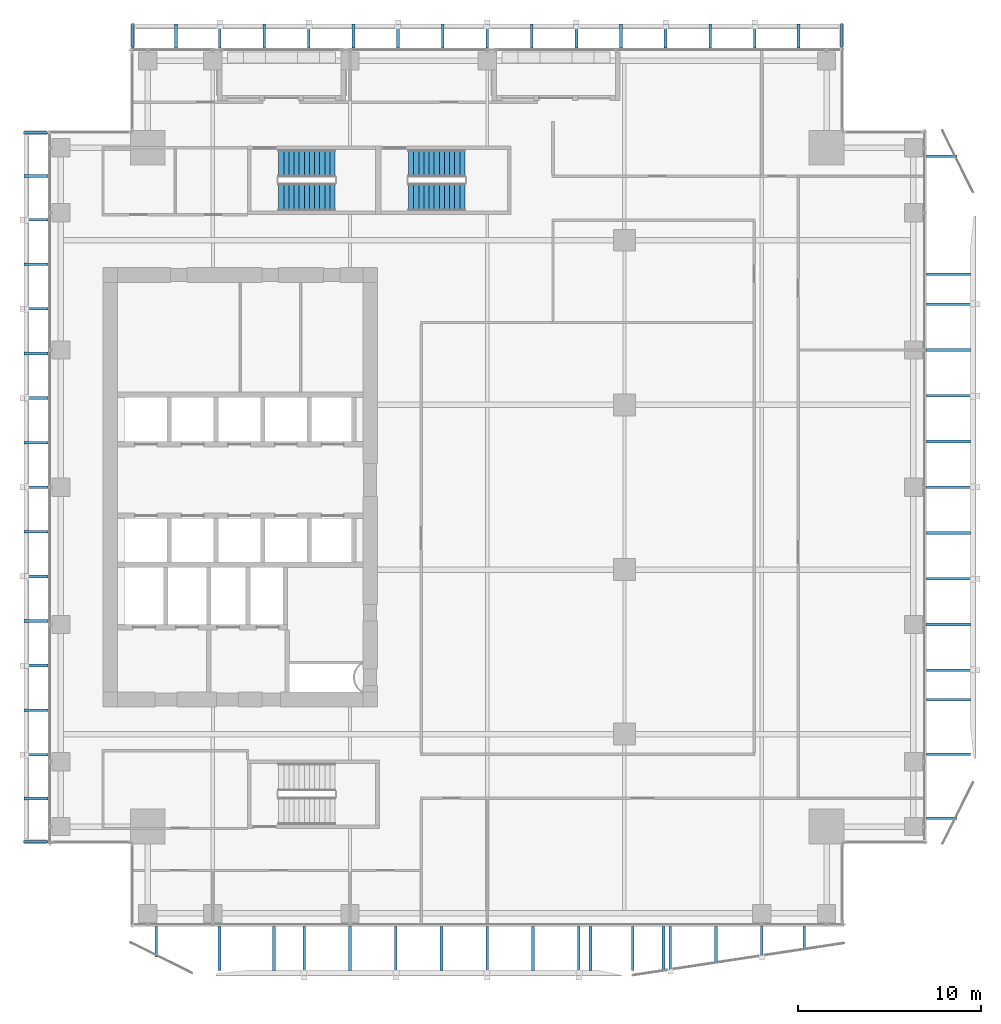
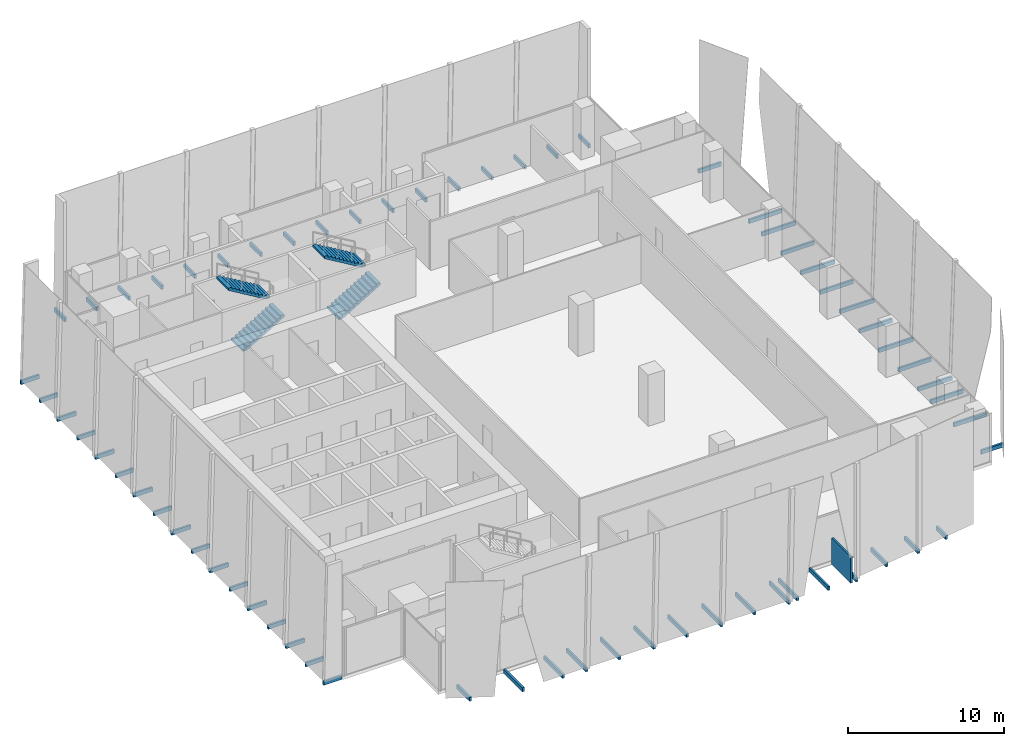
# One storey, part 31 of 35: 65 discrete accessories, 4 stair flights, 2 elements without a shape of their own.
"""IFC4 building model written with IfcOpenShell, lengths in metres."""

from ifc_helpers import new_model, si_unit, direction, frame, origin, origin_2d, place, context, subcontext, project, spatial, polyline, rectangle, outline, extrude, source, transform, mapped, material, type_object, element, aggregate, save


model = new_model("IFC4")

# Units and contexts
model_context = context("Model", 3, precision=1e-05, world=origin(), true_north=direction((0.0, 1.0)))
body_context = subcontext(model_context, "Body", "Model", "MODEL_VIEW")
ifc_project = project(units=[si_unit("LENGTHUNIT", "METRE"), si_unit("AREAUNIT", "SQUARE_METRE"), si_unit("VOLUMEUNIT", "CUBIC_METRE"), si_unit("PLANEANGLEUNIT", "RADIAN"), si_unit("MASSUNIT", "GRAM", prefix="KILO")], contexts=[model_context])

# Site, building, storey
site_placement = place(None, origin())
site = spatial("IfcSite", under=ifc_project, at=site_placement, CompositionType="ELEMENT")
building_placement = place(site_placement, origin())
building = spatial("IfcBuilding", under=site, at=building_placement, Name="Khomas Fold Tower", CompositionType="ELEMENT")
storey_placement = place(building_placement, frame((0.0, 0.0, 212.699951171875)))
storey = spatial("IfcBuildingStorey", under=building, at=storey_placement, Name="L47", CompositionType="ELEMENT", Elevation=212.699951171875)

# Stair, stair flights
ifc_material_1 = material(Name="Concrete C40/50", Category="concrete")
stair_type_1 = type_object("IfcStairType", Name="Stair ST1", PredefinedType="HALF_TURN_STAIR", material=ifc_material_1)
stair_1_placement = place(storey_placement, origin())
stair_1 = element("IfcStair", 1, at=stair_1_placement, inside=storey, type_object=stair_type_1, Name="L47 ST1", PredefinedType="HALF_TURN_STAIR")
ifc_material_2 = material(Name="Concrete C40/50", Category="concrete")
stair_flight_type_1 = type_object("IfcStairFlightType", Name="Stair flight 1500 ST1", PredefinedType="STRAIGHT", material=ifc_material_2)
shared_shape_1 = source(origin(), body_context, "Body", "SweptSolid", [
    extrude(outline(polyline([(0.0, 0.0), (0.0, 0.012939453125), (0.0, 0.025634765625), (0.0, 0.03857421875), (0.0, 0.05126953125), (0.0, 0.064208984375), (0.0, 0.076904296875), (0.0, 0.08984375), (0.0, 0.1025390625), (0.0, 0.115478515625), (0.0, 0.128173828125), (0.0, 0.14111328125), (0.0, 0.15380859375), (0.0, 0.166748046875), (0.280029296875, 0.166748046875), (0.280029296875, 0.333251953125), (0.56005859375, 0.333251953125), (0.56005859375, 0.5), (0.840087890625, 0.5), (0.840087890625, 0.666748046875), (1.1201171875, 0.666748046875), (1.1201171875, 0.833251953125), (1.39990234375, 0.833251953125), (1.39990234375, 1.0), (1.679931640625, 1.0), (1.679931640625, 1.166748046875), (1.9599609375, 1.166748046875), (1.9599609375, 1.333251953125), (2.239990234375, 1.333251953125), (2.239990234375, 1.5), (2.52001953125, 1.5), (2.52001953125, 1.666748046875), (2.800048828125, 1.666748046875), (2.800048828125, 1.833251953125), (3.080078125, 1.833251953125), (3.080078125, 2.0), (3.080078125, 1.973876953125), (3.080078125, 1.947509765625), (3.080078125, 1.92138671875), (3.080078125, 1.89501953125), (3.080078125, 1.868896484375), (3.080078125, 1.842529296875), (3.080078125, 1.81640625), (3.080078125, 1.7900390625), (3.080078125, 1.763916015625), (3.080078125, 1.737548828125), (3.080078125, 1.71142578125), (3.080078125, 1.68505859375), (3.080078125, 1.658935546875), (0.29296875, 0.0), (0.0, 0.0)])), frame((0.0, 0.75, 0.0), z_axis=(0.0, -1.0, 0.0), x_axis=(1.0, 0.0, 0.0)), (0.0, 0.0, 1.0), 1.5),
])
stair_flight_1_placement = place(storey_placement, frame((15.60009765625, 42.85009765625, 0.0), z_axis=(0.0, 0.0, 1.0), x_axis=(1.0, 0.0, 0.0)))
stair_flight_1 = element("IfcStairFlight", 2, at=stair_flight_1_placement, type_object=stair_flight_type_1, Name="ST1 flight 1", NumberOfRisers=12, NumberOfTreads=11, PredefinedType="STRAIGHT", RiserHeight=0.166666667, TreadLength=0.28, context=body_context, shape_type="MappedRepresentation", body=[
    mapped(shared_shape_1, transform((0.0, 0.0, 0.0))),
])
stair_flight_2_placement = place(storey_placement, frame((18.679931640625, 44.699951171875, 2.0), z_axis=(0.0, 0.0, 1.0), x_axis=(-1.0, 0.0, 0.0)))
stair_flight_2 = element("IfcStairFlight", 3, at=stair_flight_2_placement, type_object=stair_flight_type_1, Name="ST1 flight 2", NumberOfRisers=12, NumberOfTreads=11, PredefinedType="STRAIGHT", RiserHeight=0.166666667, TreadLength=0.28, context=body_context, shape_type="MappedRepresentation", body=[
    mapped(shared_shape_1, transform((0.0, 0.0, 0.0))),
])
aggregate(stair_1, [stair_flight_1, stair_flight_2])

ifc_material_3 = material(Name="Concrete C40/50", Category="concrete")
stair_type_2 = type_object("IfcStairType", Name="Stair ST3", PredefinedType="HALF_TURN_STAIR", material=ifc_material_3)
stair_2_placement = place(storey_placement, origin())
stair_2 = element("IfcStair", 4, at=stair_2_placement, inside=storey, type_object=stair_type_2, Name="L47 ST3", PredefinedType="HALF_TURN_STAIR")
ifc_material_4 = material(Name="Concrete C40/50", Category="concrete")
stair_flight_type_2 = type_object("IfcStairFlightType", Name="Stair flight 1500 ST3", PredefinedType="STRAIGHT", material=ifc_material_4)
stair_flight_3_placement = place(storey_placement, frame((22.699951171875, 42.85009765625, 0.0), z_axis=(0.0, 0.0, 1.0), x_axis=(1.0, 0.0, 0.0)))
stair_flight_3 = element("IfcStairFlight", 5, at=stair_flight_3_placement, type_object=stair_flight_type_2, Name="ST3 flight 1", NumberOfRisers=12, NumberOfTreads=11, PredefinedType="STRAIGHT", RiserHeight=0.166666667, TreadLength=0.28, context=body_context, shape_type="MappedRepresentation", body=[
    mapped(shared_shape_1, transform((0.0, 0.0, 0.0))),
])
stair_flight_4_placement = place(storey_placement, frame((25.780029296875, 44.699951171875, 2.0), z_axis=(0.0, 0.0, 1.0), x_axis=(-1.0, 0.0, 0.0)))
stair_flight_4 = element("IfcStairFlight", 6, at=stair_flight_4_placement, type_object=stair_flight_type_2, Name="ST3 flight 2", NumberOfRisers=12, NumberOfTreads=11, PredefinedType="STRAIGHT", RiserHeight=0.166666667, TreadLength=0.28, context=body_context, shape_type="MappedRepresentation", body=[
    mapped(shared_shape_1, transform((0.0, 0.0, 0.0))),
])
aggregate(stair_2, [stair_flight_3, stair_flight_4])

# Discrete accessories
ifc_material_5 = material(Name="Stainless steel", Category="steel")
discrete_accessory_type = type_object("IfcDiscreteAccessoryType", Name="SK-Stainless steel stone bracket", PredefinedType="BRACKET", material=ifc_material_5)
shared_shape_2 = source(origin(), body_context, "Body", "SweptSolid", [
    extrude(rectangle(XDim=2.428466796875, YDim=0.14990234375, at=origin_2d()), origin(), (0.0, 0.0, 1.0), 0.31005859375),
])
for number, where, z_axis, x_axis, name in (
    (7, (12.369384765625, 1.78564453125, -0.25), (0.0, 0.0, 1.0), (0.0, -1.0, 0.0), "Stone bracket L47 SS03-1-2"),
    (8, (34.9599609375, 1.78564453125, -0.25), (0.0, 0.0, 1.0), (0.0, -1.0, 0.0), "Stone bracket L47 SS06-2-2"),
    (9, (52.21435546875, 12.409912109375, -0.25), (0.0, 0.0, 1.0), (1.0, 0.0, 0.0), "Stone bracket L47 ES03-1-2"),
    (10, (15.339111328125, 1.78564453125, -0.25), (0.0, 0.0, 1.0), (0.0, -1.0, 0.0), "Stone bracket L47 SG100-2-1"),
    (11, (19.5, 1.78564453125, -0.25), (0.0, 0.0, 1.0), (0.0, -1.0, 0.0), "Stone bracket L47 SG101-4-1"),
    (12, (24.5, 1.78564453125, -0.25), (0.0, 0.0, 1.0), (0.0, -1.0, 0.0), "Stone bracket L47 SG102-6-1"),
    (13, (29.5, 1.78564453125, -0.25), (0.0, 0.0, 1.0), (0.0, -1.0, 0.0), "Stone bracket L47 SG103-8-1"),
    (14, (32.65185546875, 1.78564453125, -0.25), (0.0, 0.0, 1.0), (0.0, -1.0, 0.0), "Stone bracket L47 SG104-10-1"),
    (15, (52.21435546875, 15.38037109375, -0.25), (0.0, 0.0, 1.0), (1.0, 0.0, 0.0), "Stone bracket L47 EG100-2-1"),
    (16, (52.21435546875, 19.5, -0.25), (0.0, 0.0, 1.0), (1.0, 0.0, 0.0), "Stone bracket L47 EG101-4-1"),
    (17, (52.21435546875, 24.5, -0.25), (0.0, 0.0, 1.0), (1.0, 0.0, 0.0), "Stone bracket L47 EG102-6-1"),
    (18, (52.21435546875, 29.5, -0.25), (0.0, 0.0, 1.0), (1.0, 0.0, 0.0), "Stone bracket L47 EG103-8-1"),
    (19, (52.21435546875, 34.5, -0.25), (0.0, 0.0, 1.0), (1.0, 0.0, 0.0), "Stone bracket L47 EG104-10-1"),
    (20, (52.21435546875, 38.63525390625, -0.25), (0.0, 0.0, 1.0), (1.0, 0.0, 0.0), "Stone bracket L47 EG105-12-1"),
):
    element("IfcDiscreteAccessory", number, at=place(storey_placement, frame(where, z_axis=z_axis, x_axis=x_axis)), inside=storey, type_object=discrete_accessory_type, Name=name, PredefinedType="BRACKET", context=body_context, shape_type="MappedRepresentation", body=[
        mapped(shared_shape_2, transform((0.0, 0.0, 0.0))),
    ])
shared_shape_3 = source(origin(), body_context, "Body", "SweptSolid", [
    extrude(rectangle(XDim=1.73828125, YDim=0.14990234375, at=origin_2d()), origin(), (0.0, 0.0, 1.0), 0.31005859375),
])
discrete_accessory_1_placement = place(storey_placement, frame((42.0, 2.130859375, -0.25), z_axis=(0.0, 0.0, 1.0), x_axis=(0.0, -1.0, 0.0)))
element("IfcDiscreteAccessory", 21, at=discrete_accessory_1_placement, inside=storey, type_object=discrete_accessory_type, Name="Stone bracket L47 SM106-14-1", PredefinedType="BRACKET", context=body_context, shape_type="MappedRepresentation", body=[
    mapped(shared_shape_3, transform((0.0, 0.0, 0.0))),
])
shared_shape_4 = source(origin(), body_context, "Body", "SweptSolid", [
    extrude(rectangle(XDim=1.265380859375, YDim=0.14990234375, at=origin_2d()), origin(), (0.0, 0.0, 1.0), 0.31005859375),
])
discrete_accessory_2_placement = place(storey_placement, frame((44.3349609375, 2.3671875, -0.25), z_axis=(0.0, 0.0, 1.0), x_axis=(0.0, -1.0, 0.0)))
element("IfcDiscreteAccessory", 22, at=discrete_accessory_2_placement, inside=storey, type_object=discrete_accessory_type, Name="Stone bracket L47 SG106-15-1", PredefinedType="BRACKET", context=body_context, shape_type="MappedRepresentation", body=[
    mapped(shared_shape_4, transform((0.0, 0.0, 0.0))),
])
shared_shape_5 = source(origin(), body_context, "Body", "SweptSolid", [
    extrude(rectangle(XDim=1.664794921875, YDim=0.14990234375, at=origin_2d()), origin(), (0.0, 0.0, 1.0), 0.31005859375),
])
for number, where, z_axis, x_axis, name in (
    (23, (8.904541015625, 2.16748046875, -0.25), (0.0, 0.0, 1.0), (0.0, -1.0, 0.0), "Stone bracket L47 SG099-1-1"),
    (24, (51.83251953125, 8.904541015625, -0.25), (0.0, 0.0, 1.0), (1.0, 0.0, 0.0), "Stone bracket L47 EG099-1-1"),
    (25, (51.83251953125, 45.095458984375, -0.25), (0.0, 0.0, 1.0), (1.0, 0.0, 0.0), "Stone bracket L47 EG106-13-1"),
):
    element("IfcDiscreteAccessory", number, at=place(storey_placement, frame(where, z_axis=z_axis, x_axis=x_axis)), inside=storey, type_object=discrete_accessory_type, Name=name, PredefinedType="BRACKET", context=body_context, shape_type="MappedRepresentation", body=[
        mapped(shared_shape_5, transform((0.0, 0.0, 0.0))),
    ])
shared_shape_6 = source(origin(), body_context, "Body", "SweptSolid", [
    extrude(rectangle(XDim=2.5234375, YDim=0.14990234375, at=origin_2d()), origin(), (0.0, 0.0, 1.0), 0.31005859375),
])
for number, where, z_axis, x_axis, name in (
    (26, (17.0, 1.73828125, -0.25), (0.0, 0.0, 1.0), (0.0, -1.0, 0.0), "Stone bracket L47 SM101-3-1"),
    (27, (22.0, 1.73828125, -0.25), (0.0, 0.0, 1.0), (0.0, -1.0, 0.0), "Stone bracket L47 SM102-5-1"),
    (28, (27.0, 1.73828125, -0.25), (0.0, 0.0, 1.0), (0.0, -1.0, 0.0), "Stone bracket L47 SM103-7-1"),
    (29, (32.0, 1.73828125, -0.25), (0.0, 0.0, 1.0), (0.0, -1.0, 0.0), "Stone bracket L47 SM104-9-1"),
    (30, (52.26171875, 17.0, -0.25), (0.0, 0.0, 1.0), (1.0, 0.0, 0.0), "Stone bracket L47 EM101-3-1"),
    (31, (52.26171875, 22.0, -0.25), (0.0, 0.0, 1.0), (1.0, 0.0, 0.0), "Stone bracket L47 EM102-5-1"),
    (32, (52.26171875, 27.0, -0.25), (0.0, 0.0, 1.0), (1.0, 0.0, 0.0), "Stone bracket L47 EM103-7-1"),
    (33, (52.26171875, 32.0, -0.25), (0.0, 0.0, 1.0), (1.0, 0.0, 0.0), "Stone bracket L47 EM104-9-1"),
    (34, (52.26171875, 37.0, -0.25), (0.0, 0.0, 1.0), (1.0, 0.0, 0.0), "Stone bracket L47 EM105-11-1"),
):
    element("IfcDiscreteAccessory", number, at=place(storey_placement, frame(where, z_axis=z_axis, x_axis=x_axis)), inside=storey, type_object=discrete_accessory_type, Name=name, PredefinedType="BRACKET", context=body_context, shape_type="MappedRepresentation", body=[
        mapped(shared_shape_6, transform((0.0, 0.0, 0.0))),
    ])
shared_shape_7 = source(origin(), body_context, "Body", "SweptSolid", [
    extrude(rectangle(XDim=2.435546875, YDim=0.14990234375, at=origin_2d()), origin(), (0.0, 0.0, 1.0), 2.06005859375),
])
discrete_accessory_3_placement = place(storey_placement, frame((36.636962890625, 1.7822265625, -0.25), z_axis=(0.0, 0.0, 1.0), x_axis=(0.0, -1.0, 0.0)))
element("IfcDiscreteAccessory", 35, at=discrete_accessory_3_placement, inside=storey, type_object=discrete_accessory_type, Name="Stone bracket L47 SG104-11-1", PredefinedType="BRACKET", context=body_context, shape_type="MappedRepresentation", body=[
    mapped(shared_shape_7, transform((0.0, 0.0, 0.0))),
])
shared_shape_8 = source(origin(), body_context, "Body", "SweptSolid", [
    extrude(rectangle(XDim=2.498291015625, YDim=0.14990234375, at=origin_2d()), origin(), (0.0, 0.0, 1.0), 0.31005859375),
])
discrete_accessory_4_placement = place(storey_placement, frame((37.0, 1.7509765625, -0.25), z_axis=(0.0, 0.0, 1.0), x_axis=(0.0, -1.0, 0.0)))
element("IfcDiscreteAccessory", 36, at=discrete_accessory_4_placement, inside=storey, type_object=discrete_accessory_type, Name="Stone bracket L47 SM105-12-1", PredefinedType="BRACKET", context=body_context, shape_type="MappedRepresentation", body=[
    mapped(shared_shape_8, transform((0.0, 0.0, 0.0))),
])
shared_shape_9 = source(origin(), body_context, "Body", "SweptSolid", [
    extrude(rectangle(XDim=2.00048828125, YDim=0.14990234375, at=origin_2d()), origin(), (0.0, 0.0, 1.0), 0.31005859375),
])
discrete_accessory_5_placement = place(storey_placement, frame((39.5, 1.999755859375, -0.25), z_axis=(0.0, 0.0, 1.0), x_axis=(0.0, -1.0, 0.0)))
element("IfcDiscreteAccessory", 37, at=discrete_accessory_5_placement, inside=storey, type_object=discrete_accessory_type, Name="Stone bracket L47 SG105-13-1", PredefinedType="BRACKET", context=body_context, shape_type="MappedRepresentation", body=[
    mapped(shared_shape_9, transform((0.0, 0.0, 0.0))),
])
shared_shape_10 = source(origin(), body_context, "Body", "SweptSolid", [
    extrude(rectangle(XDim=1.312255859375, YDim=0.14990234375, at=origin_2d()), origin(), (0.0, 0.0, 1.0), 0.31005859375),
])
for number, where, z_axis, x_axis, name in (
    (38, (9.987548828125, 51.65625, -0.25), (0.0, 0.0, 1.0), (0.0, 1.0, 0.0), "Stone bracket L47 PLNG01"),
    (39, (14.8125, 51.65625, -0.25), (0.0, 0.0, 1.0), (0.0, 1.0, 0.0), "Stone bracket L47 PLNG03"),
    (40, (19.6875, 51.65625, -0.25), (0.0, 0.0, 1.0), (0.0, 1.0, 0.0), "Stone bracket L47 PLNG05"),
    (41, (24.5625, 51.65625, -0.25), (0.0, 0.0, 1.0), (0.0, 1.0, 0.0), "Stone bracket L47 PLNG07"),
    (42, (29.4375, 51.65625, -0.25), (0.0, 0.0, 1.0), (0.0, 1.0, 0.0), "Stone bracket L47 PLNG09"),
    (43, (34.3125, 51.65625, -0.25), (0.0, 0.0, 1.0), (0.0, 1.0, 0.0), "Stone bracket L47 PLNG11"),
    (44, (39.1875, 51.65625, -0.25), (0.0, 0.0, 1.0), (0.0, 1.0, 0.0), "Stone bracket L47 PLNG13"),
    (45, (44.012451171875, 51.65625, -0.25), (0.0, 0.0, 1.0), (0.0, 1.0, 0.0), "Stone bracket L47 PLNG15"),
    (46, (2.34375, 9.987548828125, -0.25), (0.0, 0.0, 1.0), (-1.0, 0.0, 0.0), "Stone bracket L47 PLWG01"),
    (47, (2.34375, 14.8125, -0.25), (0.0, 0.0, 1.0), (-1.0, 0.0, 0.0), "Stone bracket L47 PLWG03"),
    (48, (2.34375, 19.6875, -0.25), (0.0, 0.0, 1.0), (-1.0, 0.0, 0.0), "Stone bracket L47 PLWG05"),
    (49, (2.34375, 24.5625, -0.25), (0.0, 0.0, 1.0), (-1.0, 0.0, 0.0), "Stone bracket L47 PLWG07"),
    (50, (2.34375, 29.4375, -0.25), (0.0, 0.0, 1.0), (-1.0, 0.0, 0.0), "Stone bracket L47 PLWG09"),
    (51, (2.34375, 34.3125, -0.25), (0.0, 0.0, 1.0), (-1.0, 0.0, 0.0), "Stone bracket L47 PLWG11"),
    (52, (2.34375, 39.1875, -0.25), (0.0, 0.0, 1.0), (-1.0, 0.0, 0.0), "Stone bracket L47 PLWG13"),
    (53, (2.34375, 44.012451171875, -0.25), (0.0, 0.0, 1.0), (-1.0, 0.0, 0.0), "Stone bracket L47 PLWG15"),
):
    element("IfcDiscreteAccessory", number, at=place(storey_placement, frame(where, z_axis=z_axis, x_axis=x_axis)), inside=storey, type_object=discrete_accessory_type, Name=name, PredefinedType="BRACKET", context=body_context, shape_type="MappedRepresentation", body=[
        mapped(shared_shape_10, transform((0.0, 0.0, 0.0))),
    ])
shared_shape_11 = source(origin(), body_context, "Body", "SweptSolid", [
    extrude(rectangle(XDim=1.4072265625, YDim=0.14990234375, at=origin_2d()), origin(), (0.0, 0.0, 1.0), 0.31005859375),
])
for number, where, z_axis, x_axis, name in (
    (54, (12.375, 51.70361328125, -0.25), (0.0, 0.0, 1.0), (0.0, 1.0, 0.0), "Stone bracket L47 PLNM02"),
    (55, (17.25, 51.70361328125, -0.25), (0.0, 0.0, 1.0), (0.0, 1.0, 0.0), "Stone bracket L47 PLNM04"),
    (56, (22.125, 51.70361328125, -0.25), (0.0, 0.0, 1.0), (0.0, 1.0, 0.0), "Stone bracket L47 PLNM06"),
    (57, (27.0, 51.70361328125, -0.25), (0.0, 0.0, 1.0), (0.0, 1.0, 0.0), "Stone bracket L47 PLNM08"),
    (58, (31.875, 51.70361328125, -0.25), (0.0, 0.0, 1.0), (0.0, 1.0, 0.0), "Stone bracket L47 PLNM10"),
    (59, (36.75, 51.70361328125, -0.25), (0.0, 0.0, 1.0), (0.0, 1.0, 0.0), "Stone bracket L47 PLNM12"),
    (60, (41.625, 51.70361328125, -0.25), (0.0, 0.0, 1.0), (0.0, 1.0, 0.0), "Stone bracket L47 PLNM14"),
    (61, (2.29638671875, 12.375, -0.25), (0.0, 0.0, 1.0), (-1.0, 0.0, 0.0), "Stone bracket L47 PLWM02"),
    (62, (2.29638671875, 17.25, -0.25), (0.0, 0.0, 1.0), (-1.0, 0.0, 0.0), "Stone bracket L47 PLWM04"),
    (63, (2.29638671875, 22.125, -0.25), (0.0, 0.0, 1.0), (-1.0, 0.0, 0.0), "Stone bracket L47 PLWM06"),
    (64, (2.29638671875, 27.0, -0.25), (0.0, 0.0, 1.0), (-1.0, 0.0, 0.0), "Stone bracket L47 PLWM08"),
    (65, (2.29638671875, 31.875, -0.25), (0.0, 0.0, 1.0), (-1.0, 0.0, 0.0), "Stone bracket L47 PLWM10"),
    (66, (2.29638671875, 36.75, -0.25), (0.0, 0.0, 1.0), (-1.0, 0.0, 0.0), "Stone bracket L47 PLWM12"),
    (67, (2.29638671875, 41.625, -0.25), (0.0, 0.0, 1.0), (-1.0, 0.0, 0.0), "Stone bracket L47 PLWM14"),
):
    element("IfcDiscreteAccessory", number, at=place(storey_placement, frame(where, z_axis=z_axis, x_axis=x_axis)), inside=storey, type_object=discrete_accessory_type, Name=name, PredefinedType="BRACKET", context=body_context, shape_type="MappedRepresentation", body=[
        mapped(shared_shape_11, transform((0.0, 0.0, 0.0))),
    ])
shared_shape_12 = source(origin(), body_context, "Body", "SweptSolid", [
    extrude(rectangle(XDim=1.352294921875, YDim=0.14990234375, at=origin_2d()), origin(), (0.0, 0.0, 1.0), 0.31005859375),
])
for number, where, z_axis, x_axis, name in (
    (68, (7.625, 51.67626953125, -0.25), (0.0, 0.0, 1.0), (0.0, 1.0, 0.0), "Stone bracket L47 PLNR1"),
    (69, (46.375, 51.67626953125, -0.25), (0.0, 0.0, 1.0), (0.0, 1.0, 0.0), "Stone bracket L47 PLNR2"),
    (70, (2.32373046875, 7.625, -0.25), (0.0, 0.0, 1.0), (-1.0, 0.0, 0.0), "Stone bracket L47 PLWR1"),
    (71, (2.32373046875, 46.375, -0.25), (0.0, 0.0, 1.0), (-1.0, 0.0, 0.0), "Stone bracket L47 PLWR2"),
):
    element("IfcDiscreteAccessory", number, at=place(storey_placement, frame(where, z_axis=z_axis, x_axis=x_axis)), inside=storey, type_object=discrete_accessory_type, Name=name, PredefinedType="BRACKET", context=body_context, shape_type="MappedRepresentation", body=[
        mapped(shared_shape_12, transform((0.0, 0.0, 0.0))),
    ])

save(model, "model.ifc")
